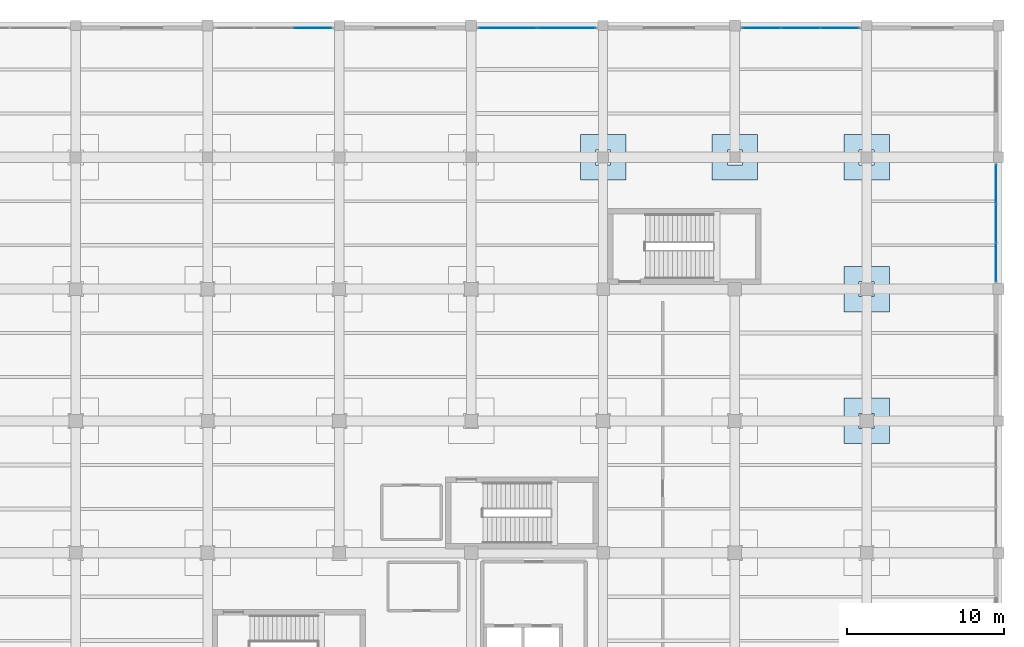
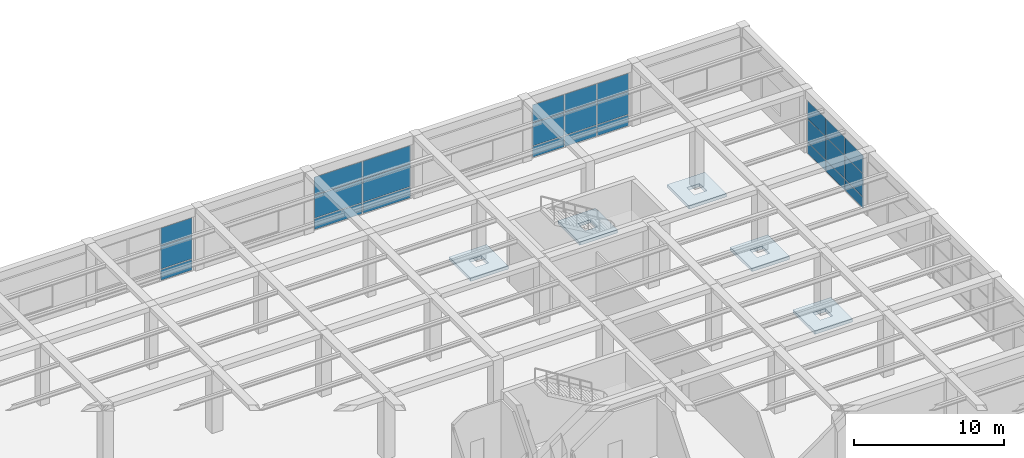
# One storey, part 76 of 95: 27 plates, 5 slabs, 4 elements without a shape of their own.
"""IFC4 building model written with IfcOpenShell, lengths in metres."""

from ifc_helpers import new_model, si_unit, direction, frame, origin, origin_2d, place, context, subcontext, project, spatial, polyline, rectangle, outline, extrude, material, layer, layer_set, type_object, element, aggregate, save


model = new_model("IFC4")

# Units and contexts
model_context = context("Model", 3, precision=1e-05, world=origin(), true_north=direction((0.0, 1.0)))
body_context = subcontext(model_context, "Body", "Model", "MODEL_VIEW")
ifc_project = project(units=[si_unit("LENGTHUNIT", "METRE"), si_unit("AREAUNIT", "SQUARE_METRE"), si_unit("VOLUMEUNIT", "CUBIC_METRE"), si_unit("PLANEANGLEUNIT", "RADIAN"), si_unit("MASSUNIT", "GRAM", prefix="KILO")], contexts=[model_context])

# Site, building, storey
site_placement = place(None, origin())
site = spatial("IfcSite", under=ifc_project, at=site_placement, CompositionType="ELEMENT")
building_placement = place(site_placement, origin())
building = spatial("IfcBuilding", under=site, at=building_placement, Name="Almacenes y Pasaje Nevantli", CompositionType="ELEMENT")
storey_placement = place(building_placement, frame((0.0, 0.0, 11.39990234375)))
storey = spatial("IfcBuildingStorey", under=building, at=storey_placement, Name="L03", CompositionType="ELEMENT", Elevation=11.39990234375)

# Curtain wall, plates
ifc_material_1 = material(Name="Thermally Broken Aluminium and Low-E Glass", Category="aluminium")
curtain_wall_type_1 = type_object("IfcCurtainWallType", Name="CW-STF-BLVD", PredefinedType="USERDEFINED", material=ifc_material_1)
curtain_wall_1_placement = place(storey_placement, origin())
curtain_wall_1 = element("IfcCurtainWall", 1, at=curtain_wall_1_placement, inside=storey, type_object=curtain_wall_type_1, Name="L03 North Boulevard Retail Curtain Wall Bay 15", ObjectType="STOREFRONT GLAZING", PredefinedType="USERDEFINED")
ifc_material_2 = material(Name="Low-E Double Glazed Insulated Unit", Category="glass")
ifc_layer_1 = layer(ifc_material_2, 0.031982421875)
ifc_layer_set_1 = layer_set([ifc_layer_1], Name="Low-E Double Glazed Insulated Unit")
plate_type = type_object("IfcPlateType", Name="PL-IGU-32", PredefinedType="CURTAIN_PANEL", material=ifc_layer_set_1)
plate_1_placement = place(storey_placement, frame((124.284912109375, 117.449951171875, 0.06005859375), z_axis=(0.0, 0.0, 1.0), x_axis=(1.0, 0.0, 0.0)))
plate_1 = element("IfcPlate", 2, at=plate_1_placement, type_object=plate_type, Name="CW-L03-042 panel 3.1", PredefinedType="CURTAIN_PANEL", context=body_context, shape_type="SweptSolid", body=[
    extrude(rectangle(XDim=2.409912109375, YDim=0.031982421875, at=origin_2d()), origin(), (0.0, 0.0, 1.0), 0.860107421875),
])
plate_2_placement = place(storey_placement, frame((124.284912109375, 117.449951171875, 0.97998046875), z_axis=(0.0, 0.0, 1.0), x_axis=(1.0, 0.0, 0.0)))
plate_2 = element("IfcPlate", 3, at=plate_2_placement, type_object=plate_type, Name="CW-L03-042 panel 3.2", PredefinedType="CURTAIN_PANEL", context=body_context, shape_type="SweptSolid", body=[
    extrude(rectangle(XDim=2.409912109375, YDim=0.031982421875, at=origin_2d()), origin(), (0.0, 0.0, 1.0), 1.840087890625),
])
plate_3_placement = place(storey_placement, frame((124.284912109375, 117.449951171875, 2.880126953125), z_axis=(0.0, 0.0, 1.0), x_axis=(1.0, 0.0, 0.0)))
plate_3 = element("IfcPlate", 4, at=plate_3_placement, type_object=plate_type, Name="CW-L03-042 panel 3.3", PredefinedType="CURTAIN_PANEL", context=body_context, shape_type="SweptSolid", body=[
    extrude(rectangle(XDim=2.409912109375, YDim=0.031982421875, at=origin_2d()), origin(), (0.0, 0.0, 1.0), 1.43994140625),
])
aggregate(curtain_wall_1, [plate_1, plate_2, plate_3])

curtain_wall_2_placement = place(storey_placement, origin())
curtain_wall_2 = element("IfcCurtainWall", 5, at=curtain_wall_2_placement, inside=storey, type_object=curtain_wall_type_1, Name="L03 North Boulevard Retail Curtain Wall Bay 17", ObjectType="STOREFRONT GLAZING", PredefinedType="USERDEFINED")
plate_4_placement = place(storey_placement, frame((136.739990234375, 117.449951171875, 0.06005859375), z_axis=(0.0, 0.0, 1.0), x_axis=(1.0, 0.0, 0.0)))
plate_4 = element("IfcPlate", 6, at=plate_4_placement, type_object=plate_type, Name="CW-L03-043 panel 1.1", PredefinedType="CURTAIN_PANEL", context=body_context, shape_type="SweptSolid", body=[
    extrude(rectangle(XDim=3.659912109375, YDim=0.031982421875, at=origin_2d()), origin(), (0.0, 0.0, 1.0), 0.860107421875),
])
plate_5_placement = place(storey_placement, frame((136.739990234375, 117.449951171875, 0.97998046875), z_axis=(0.0, 0.0, 1.0), x_axis=(1.0, 0.0, 0.0)))
plate_5 = element("IfcPlate", 7, at=plate_5_placement, type_object=plate_type, Name="CW-L03-043 panel 1.2", PredefinedType="CURTAIN_PANEL", context=body_context, shape_type="SweptSolid", body=[
    extrude(rectangle(XDim=3.659912109375, YDim=0.031982421875, at=origin_2d()), origin(), (0.0, 0.0, 1.0), 1.840087890625),
])
plate_6_placement = place(storey_placement, frame((136.739990234375, 117.449951171875, 2.880126953125), z_axis=(0.0, 0.0, 1.0), x_axis=(1.0, 0.0, 0.0)))
plate_6 = element("IfcPlate", 8, at=plate_6_placement, type_object=plate_type, Name="CW-L03-043 panel 1.3", PredefinedType="CURTAIN_PANEL", context=body_context, shape_type="SweptSolid", body=[
    extrude(rectangle(XDim=3.659912109375, YDim=0.031982421875, at=origin_2d()), origin(), (0.0, 0.0, 1.0), 1.43994140625),
])
plate_7_placement = place(storey_placement, frame((140.4599609375, 117.449951171875, 0.06005859375), z_axis=(0.0, 0.0, 1.0), x_axis=(1.0, 0.0, 0.0)))
plate_7 = element("IfcPlate", 9, at=plate_7_placement, type_object=plate_type, Name="CW-L03-043 panel 2.1", PredefinedType="CURTAIN_PANEL", context=body_context, shape_type="SweptSolid", body=[
    extrude(rectangle(XDim=3.659912109375, YDim=0.031982421875, at=origin_2d()), origin(), (0.0, 0.0, 1.0), 0.860107421875),
])
plate_8_placement = place(storey_placement, frame((140.4599609375, 117.449951171875, 0.97998046875), z_axis=(0.0, 0.0, 1.0), x_axis=(1.0, 0.0, 0.0)))
plate_8 = element("IfcPlate", 10, at=plate_8_placement, type_object=plate_type, Name="CW-L03-043 panel 2.2", PredefinedType="CURTAIN_PANEL", context=body_context, shape_type="SweptSolid", body=[
    extrude(rectangle(XDim=3.659912109375, YDim=0.031982421875, at=origin_2d()), origin(), (0.0, 0.0, 1.0), 1.840087890625),
])
plate_9_placement = place(storey_placement, frame((140.4599609375, 117.449951171875, 2.880126953125), z_axis=(0.0, 0.0, 1.0), x_axis=(1.0, 0.0, 0.0)))
plate_9 = element("IfcPlate", 11, at=plate_9_placement, type_object=plate_type, Name="CW-L03-043 panel 2.3", PredefinedType="CURTAIN_PANEL", context=body_context, shape_type="SweptSolid", body=[
    extrude(rectangle(XDim=3.659912109375, YDim=0.031982421875, at=origin_2d()), origin(), (0.0, 0.0, 1.0), 1.43994140625),
])
aggregate(curtain_wall_2, [plate_4, plate_5, plate_6, plate_7, plate_8, plate_9])

curtain_wall_3_placement = place(storey_placement, origin())
curtain_wall_3 = element("IfcCurtainWall", 12, at=curtain_wall_3_placement, inside=storey, type_object=curtain_wall_type_1, Name="L03 North Boulevard Retail Curtain Wall Bay 19", ObjectType="STOREFRONT GLAZING", PredefinedType="USERDEFINED")
plate_10_placement = place(storey_placement, frame((152.9150390625, 117.449951171875, 0.06005859375), z_axis=(0.0, 0.0, 1.0), x_axis=(1.0, 0.0, 0.0)))
plate_10 = element("IfcPlate", 13, at=plate_10_placement, type_object=plate_type, Name="CW-L03-044 panel 1.1", PredefinedType="CURTAIN_PANEL", context=body_context, shape_type="SweptSolid", body=[
    extrude(rectangle(XDim=2.409912109375, YDim=0.031982421875, at=origin_2d()), origin(), (0.0, 0.0, 1.0), 0.860107421875),
])
plate_11_placement = place(storey_placement, frame((152.9150390625, 117.449951171875, 0.97998046875), z_axis=(0.0, 0.0, 1.0), x_axis=(1.0, 0.0, 0.0)))
plate_11 = element("IfcPlate", 14, at=plate_11_placement, type_object=plate_type, Name="CW-L03-044 panel 1.2", PredefinedType="CURTAIN_PANEL", context=body_context, shape_type="SweptSolid", body=[
    extrude(rectangle(XDim=2.409912109375, YDim=0.031982421875, at=origin_2d()), origin(), (0.0, 0.0, 1.0), 1.840087890625),
])
plate_12_placement = place(storey_placement, frame((152.9150390625, 117.449951171875, 2.880126953125), z_axis=(0.0, 0.0, 1.0), x_axis=(1.0, 0.0, 0.0)))
plate_12 = element("IfcPlate", 15, at=plate_12_placement, type_object=plate_type, Name="CW-L03-044 panel 1.3", PredefinedType="CURTAIN_PANEL", context=body_context, shape_type="SweptSolid", body=[
    extrude(rectangle(XDim=2.409912109375, YDim=0.031982421875, at=origin_2d()), origin(), (0.0, 0.0, 1.0), 1.43994140625),
])
plate_13_placement = place(storey_placement, frame((155.39990234375, 117.449951171875, 0.06005859375), z_axis=(0.0, 0.0, 1.0), x_axis=(1.0, 0.0, 0.0)))
plate_13 = element("IfcPlate", 16, at=plate_13_placement, type_object=plate_type, Name="CW-L03-044 panel 2.1", PredefinedType="CURTAIN_PANEL", context=body_context, shape_type="SweptSolid", body=[
    extrude(rectangle(XDim=2.43994140625, YDim=0.031982421875, at=origin_2d()), origin(), (0.0, 0.0, 1.0), 0.860107421875),
])
plate_14_placement = place(storey_placement, frame((155.39990234375, 117.449951171875, 0.97998046875), z_axis=(0.0, 0.0, 1.0), x_axis=(1.0, 0.0, 0.0)))
plate_14 = element("IfcPlate", 17, at=plate_14_placement, type_object=plate_type, Name="CW-L03-044 panel 2.2", PredefinedType="CURTAIN_PANEL", context=body_context, shape_type="SweptSolid", body=[
    extrude(rectangle(XDim=2.43994140625, YDim=0.031982421875, at=origin_2d()), origin(), (0.0, 0.0, 1.0), 1.840087890625),
])
plate_15_placement = place(storey_placement, frame((155.39990234375, 117.449951171875, 2.880126953125), z_axis=(0.0, 0.0, 1.0), x_axis=(1.0, 0.0, 0.0)))
plate_15 = element("IfcPlate", 18, at=plate_15_placement, type_object=plate_type, Name="CW-L03-044 panel 2.3", PredefinedType="CURTAIN_PANEL", context=body_context, shape_type="SweptSolid", body=[
    extrude(rectangle(XDim=2.43994140625, YDim=0.031982421875, at=origin_2d()), origin(), (0.0, 0.0, 1.0), 1.43994140625),
])
plate_16_placement = place(storey_placement, frame((157.885009765625, 117.449951171875, 0.06005859375), z_axis=(0.0, 0.0, 1.0), x_axis=(1.0, 0.0, 0.0)))
plate_16 = element("IfcPlate", 19, at=plate_16_placement, type_object=plate_type, Name="CW-L03-044 panel 3.1", PredefinedType="CURTAIN_PANEL", context=body_context, shape_type="SweptSolid", body=[
    extrude(rectangle(XDim=2.409912109375, YDim=0.031982421875, at=origin_2d()), origin(), (0.0, 0.0, 1.0), 0.860107421875),
])
plate_17_placement = place(storey_placement, frame((157.885009765625, 117.449951171875, 0.97998046875), z_axis=(0.0, 0.0, 1.0), x_axis=(1.0, 0.0, 0.0)))
plate_17 = element("IfcPlate", 20, at=plate_17_placement, type_object=plate_type, Name="CW-L03-044 panel 3.2", PredefinedType="CURTAIN_PANEL", context=body_context, shape_type="SweptSolid", body=[
    extrude(rectangle(XDim=2.409912109375, YDim=0.031982421875, at=origin_2d()), origin(), (0.0, 0.0, 1.0), 1.840087890625),
])
plate_18_placement = place(storey_placement, frame((157.885009765625, 117.449951171875, 2.880126953125), z_axis=(0.0, 0.0, 1.0), x_axis=(1.0, 0.0, 0.0)))
plate_18 = element("IfcPlate", 21, at=plate_18_placement, type_object=plate_type, Name="CW-L03-044 panel 3.3", PredefinedType="CURTAIN_PANEL", context=body_context, shape_type="SweptSolid", body=[
    extrude(rectangle(XDim=2.409912109375, YDim=0.031982421875, at=origin_2d()), origin(), (0.0, 0.0, 1.0), 1.43994140625),
])
aggregate(curtain_wall_3, [plate_10, plate_11, plate_12, plate_13, plate_14, plate_15, plate_16, plate_17, plate_18])

ifc_material_3 = material(Name="Thermally Broken Aluminium and Low-E Glass", Category="aluminium")
curtain_wall_type_2 = type_object("IfcCurtainWallType", Name="CW-UNIT-PODIUM", PredefinedType="USERDEFINED", material=ifc_material_3)
curtain_wall_4_placement = place(storey_placement, origin())
curtain_wall_4 = element("IfcCurtainWall", 22, at=curtain_wall_4_placement, inside=storey, type_object=curtain_wall_type_2, Name="L03 East Office Wing Curtain Wall Bay 13", ObjectType="UNITIZED CURTAIN WALL", PredefinedType="USERDEFINED")
plate_19_placement = place(storey_placement, frame((167.85009765625, 102.513671875, 0.05517578125), z_axis=(0.0, 0.0, 1.0), x_axis=(0.0, 1.0, 0.0)))
plate_19 = element("IfcPlate", 23, at=plate_19_placement, type_object=plate_type, Name="CW-L03-057 panel 1.1", PredefinedType="CURTAIN_PANEL", context=body_context, shape_type="SweptSolid", body=[
    extrude(rectangle(XDim=2.41748046875, YDim=0.031982421875, at=origin_2d()), origin(), (0.0, 0.0, 1.0), 0.867431640625),
])
plate_20_placement = place(storey_placement, frame((167.85009765625, 102.513671875, 0.9775390625), z_axis=(0.0, 0.0, 1.0), x_axis=(0.0, 1.0, 0.0)))
plate_20 = element("IfcPlate", 24, at=plate_20_placement, type_object=plate_type, Name="CW-L03-057 panel 1.2", PredefinedType="CURTAIN_PANEL", context=body_context, shape_type="SweptSolid", body=[
    extrude(rectangle(XDim=2.41748046875, YDim=0.031982421875, at=origin_2d()), origin(), (0.0, 0.0, 1.0), 1.844970703125),
])
plate_21_placement = place(storey_placement, frame((167.85009765625, 102.513671875, 2.87744140625), z_axis=(0.0, 0.0, 1.0), x_axis=(0.0, 1.0, 0.0)))
plate_21 = element("IfcPlate", 25, at=plate_21_placement, type_object=plate_type, Name="CW-L03-057 panel 1.3", PredefinedType="CURTAIN_PANEL", context=body_context, shape_type="SweptSolid", body=[
    extrude(rectangle(XDim=2.41748046875, YDim=0.031982421875, at=origin_2d()), origin(), (0.0, 0.0, 1.0), 1.447509765625),
])
plate_22_placement = place(storey_placement, frame((167.85009765625, 105.0, 0.05517578125), z_axis=(0.0, 0.0, 1.0), x_axis=(0.0, 1.0, 0.0)))
plate_22 = element("IfcPlate", 26, at=plate_22_placement, type_object=plate_type, Name="CW-L03-057 panel 2.1", PredefinedType="CURTAIN_PANEL", context=body_context, shape_type="SweptSolid", body=[
    extrude(rectangle(XDim=2.445068359375, YDim=0.031982421875, at=origin_2d()), origin(), (0.0, 0.0, 1.0), 0.867431640625),
])
plate_23_placement = place(storey_placement, frame((167.85009765625, 105.0, 0.9775390625), z_axis=(0.0, 0.0, 1.0), x_axis=(0.0, 1.0, 0.0)))
plate_23 = element("IfcPlate", 27, at=plate_23_placement, type_object=plate_type, Name="CW-L03-057 panel 2.2", PredefinedType="CURTAIN_PANEL", context=body_context, shape_type="SweptSolid", body=[
    extrude(rectangle(XDim=2.445068359375, YDim=0.031982421875, at=origin_2d()), origin(), (0.0, 0.0, 1.0), 1.844970703125),
])
plate_24_placement = place(storey_placement, frame((167.85009765625, 105.0, 2.87744140625), z_axis=(0.0, 0.0, 1.0), x_axis=(0.0, 1.0, 0.0)))
plate_24 = element("IfcPlate", 28, at=plate_24_placement, type_object=plate_type, Name="CW-L03-057 panel 2.3", PredefinedType="CURTAIN_PANEL", context=body_context, shape_type="SweptSolid", body=[
    extrude(rectangle(XDim=2.445068359375, YDim=0.031982421875, at=origin_2d()), origin(), (0.0, 0.0, 1.0), 1.447509765625),
])
plate_25_placement = place(storey_placement, frame((167.85009765625, 107.486328125, 0.05517578125), z_axis=(0.0, 0.0, 1.0), x_axis=(0.0, 1.0, 0.0)))
plate_25 = element("IfcPlate", 29, at=plate_25_placement, type_object=plate_type, Name="CW-L03-057 panel 3.1", PredefinedType="CURTAIN_PANEL", context=body_context, shape_type="SweptSolid", body=[
    extrude(rectangle(XDim=2.41748046875, YDim=0.031982421875, at=origin_2d()), origin(), (0.0, 0.0, 1.0), 0.867431640625),
])
plate_26_placement = place(storey_placement, frame((167.85009765625, 107.486328125, 0.9775390625), z_axis=(0.0, 0.0, 1.0), x_axis=(0.0, 1.0, 0.0)))
plate_26 = element("IfcPlate", 30, at=plate_26_placement, type_object=plate_type, Name="CW-L03-057 panel 3.2", PredefinedType="CURTAIN_PANEL", context=body_context, shape_type="SweptSolid", body=[
    extrude(rectangle(XDim=2.41748046875, YDim=0.031982421875, at=origin_2d()), origin(), (0.0, 0.0, 1.0), 1.844970703125),
])
plate_27_placement = place(storey_placement, frame((167.85009765625, 107.486328125, 2.87744140625), z_axis=(0.0, 0.0, 1.0), x_axis=(0.0, 1.0, 0.0)))
plate_27 = element("IfcPlate", 31, at=plate_27_placement, type_object=plate_type, Name="CW-L03-057 panel 3.3", PredefinedType="CURTAIN_PANEL", context=body_context, shape_type="SweptSolid", body=[
    extrude(rectangle(XDim=2.41748046875, YDim=0.031982421875, at=origin_2d()), origin(), (0.0, 0.0, 1.0), 1.447509765625),
])
aggregate(curtain_wall_4, [plate_19, plate_20, plate_21, plate_22, plate_23, plate_24, plate_25, plate_26, plate_27])

# Slabs
ifc_material_4 = material(Name="Concrete C35/45", Category="concrete")
ifc_layer_2 = layer(ifc_material_4, 0.25)
ifc_layer_set_2 = layer_set([ifc_layer_2], Name="Concrete C35/45")
slab_type = type_object("IfcSlabType", Name="SLB-DP-250", PredefinedType="USERDEFINED", material=ifc_layer_set_2)
slab_1_placement = place(storey_placement, frame((0.0, 0.0, -0.5498046875)))
element("IfcSlab", 32, at=slab_1_placement, inside=storey, type_object=slab_type, Name="L03 Punching-Shear Drop Panel DP-02 #729", ObjectType="DROP PANEL", PredefinedType="USERDEFINED", context=body_context, shape_type="SweptSolid", body=[
    extrude(outline(polyline([(141.35009765625, 107.75), (144.25, 107.75), (144.25, 110.64990234375), (141.35009765625, 110.64990234375), (141.35009765625, 107.75)]), holes=[polyline([(142.320068359375, 108.719970703125), (143.280029296875, 108.719970703125), (143.280029296875, 109.679931640625), (142.320068359375, 109.679931640625), (142.320068359375, 108.719970703125)])]), origin(), (0.0, 0.0, 1.0), 0.25),
])
slab_2_placement = place(storey_placement, frame((0.0, 0.0, -0.5498046875)))
element("IfcSlab", 33, at=slab_2_placement, inside=storey, type_object=slab_type, Name="L03 Punching-Shear Drop Panel DP-02 #738", ObjectType="DROP PANEL", PredefinedType="USERDEFINED", context=body_context, shape_type="SweptSolid", body=[
    extrude(outline(polyline([(149.75, 107.75), (152.64990234375, 107.75), (152.64990234375, 110.64990234375), (149.75, 110.64990234375), (149.75, 107.75)]), holes=[polyline([(150.719970703125, 108.719970703125), (151.679931640625, 108.719970703125), (151.679931640625, 109.679931640625), (150.719970703125, 109.679931640625), (150.719970703125, 108.719970703125)])]), origin(), (0.0, 0.0, 1.0), 0.25),
])
slab_3_placement = place(storey_placement, frame((0.0, 0.0, -0.5498046875)))
element("IfcSlab", 34, at=slab_3_placement, inside=storey, type_object=slab_type, Name="L03 Punching-Shear Drop Panel DP-02 #746", ObjectType="DROP PANEL", PredefinedType="USERDEFINED", context=body_context, shape_type="SweptSolid", body=[
    extrude(outline(polyline([(158.14990234375, 90.949951171875), (161.050048828125, 90.949951171875), (161.050048828125, 93.85009765625), (158.14990234375, 93.85009765625), (158.14990234375, 90.949951171875)]), holes=[polyline([(159.1201171875, 91.919921875), (160.080078125, 91.919921875), (160.080078125, 92.8798828125), (159.1201171875, 92.8798828125), (159.1201171875, 91.919921875)])]), origin(), (0.0, 0.0, 1.0), 0.25),
])
slab_4_placement = place(storey_placement, frame((0.0, 0.0, -0.5498046875)))
element("IfcSlab", 35, at=slab_4_placement, inside=storey, type_object=slab_type, Name="L03 Punching-Shear Drop Panel DP-02 #747", ObjectType="DROP PANEL", PredefinedType="USERDEFINED", context=body_context, shape_type="SweptSolid", body=[
    extrude(outline(polyline([(158.14990234375, 99.35009765625), (161.050048828125, 99.35009765625), (161.050048828125, 102.25), (158.14990234375, 102.25), (158.14990234375, 99.35009765625)]), holes=[polyline([(159.1201171875, 100.320068359375), (160.080078125, 100.320068359375), (160.080078125, 101.280029296875), (159.1201171875, 101.280029296875), (159.1201171875, 100.320068359375)])]), origin(), (0.0, 0.0, 1.0), 0.25),
])
slab_5_placement = place(storey_placement, frame((0.0, 0.0, -0.5498046875)))
element("IfcSlab", 36, at=slab_5_placement, inside=storey, type_object=slab_type, Name="L03 Punching-Shear Drop Panel DP-02 #748", ObjectType="DROP PANEL", PredefinedType="USERDEFINED", context=body_context, shape_type="SweptSolid", body=[
    extrude(outline(polyline([(158.14990234375, 107.75), (161.050048828125, 107.75), (161.050048828125, 110.64990234375), (158.14990234375, 110.64990234375), (158.14990234375, 107.75)]), holes=[polyline([(159.1201171875, 108.719970703125), (160.080078125, 108.719970703125), (160.080078125, 109.679931640625), (159.1201171875, 109.679931640625), (159.1201171875, 108.719970703125)])]), origin(), (0.0, 0.0, 1.0), 0.25),
])

save(model, "model.ifc")
